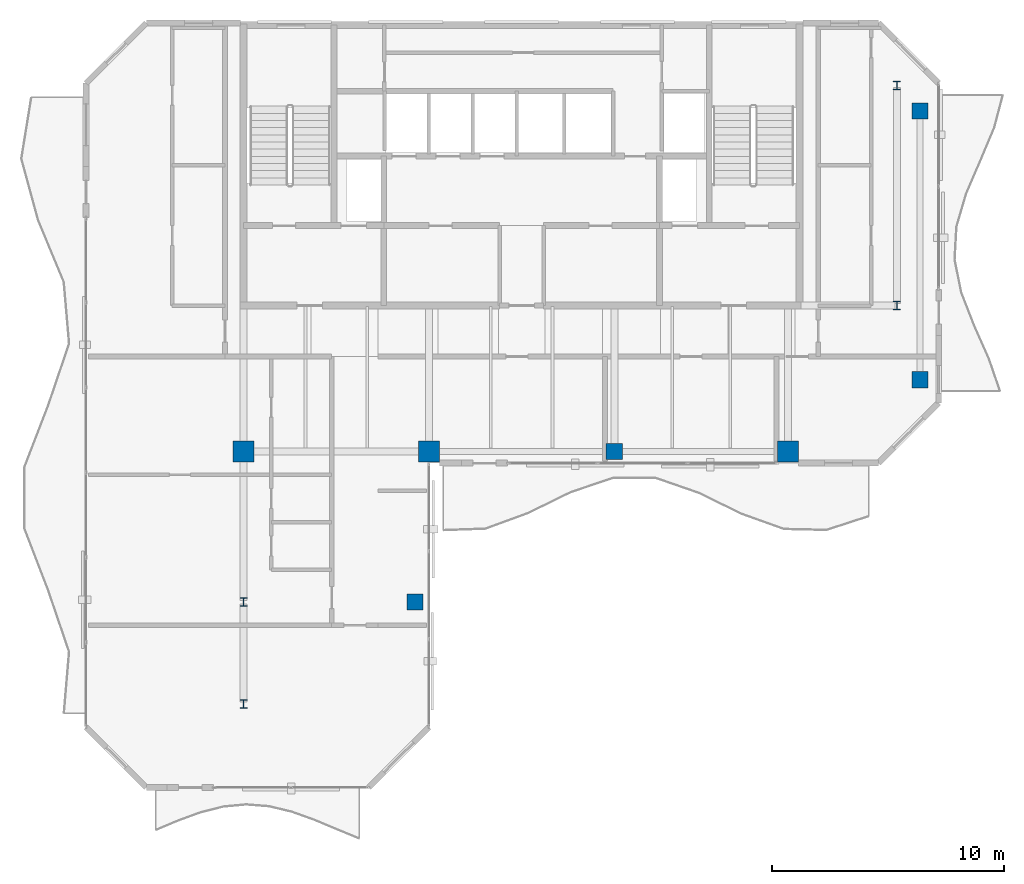
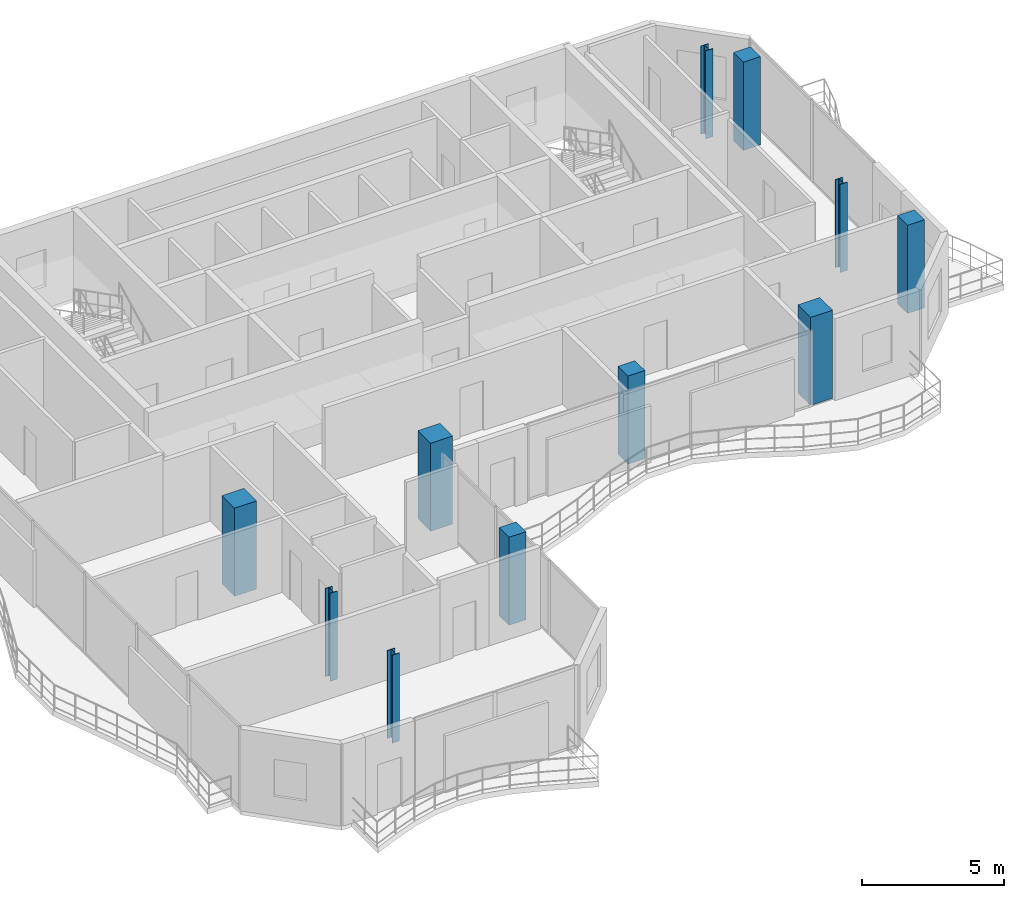
# One storey, part 1 of 17: 11 columns.
"""IFC4 building model written with IfcOpenShell, lengths in metres."""

from ifc_helpers import new_model, si_unit, direction, frame, origin, origin_2d, place, context, subcontext, project, spatial, rectangle, i_section, extrude, material, material_profile, profile_set, type_object, element, save


model = new_model("IFC4")

# Units and contexts
model_context = context("Model", 3, precision=1e-05, world=origin(), true_north=direction((0.0, 1.0)))
body_context = subcontext(model_context, "Body", "Model", "MODEL_VIEW")
ifc_project = project(units=[si_unit("LENGTHUNIT", "METRE"), si_unit("AREAUNIT", "SQUARE_METRE"), si_unit("VOLUMEUNIT", "CUBIC_METRE"), si_unit("PLANEANGLEUNIT", "RADIAN"), si_unit("MASSUNIT", "GRAM", prefix="KILO")], contexts=[model_context])

# Site, building, storey
site_placement = place(None, origin())
site = spatial("IfcSite", under=ifc_project, at=site_placement, CompositionType="ELEMENT")
building_placement = place(site_placement, origin())
building = spatial("IfcBuilding", under=site, at=building_placement, Name="Catumbela Crestline Tower", CompositionType="ELEMENT")
storey_placement = place(building_placement, frame((0.0, 0.0, 283.0)))
storey = spatial("IfcBuildingStorey", under=building, at=storey_placement, Name="L73", CompositionType="ELEMENT", Elevation=283.0)

# Columns
ifc_material_1 = material(Name="Concrete C45/55", Category="concrete")
ifc_material_profile_1 = material_profile(ifc_material_1, rectangle(XDim=0.7, YDim=0.7, at=origin_2d()), Name="RC 700x700")
ifc_profile_set_1 = profile_set([ifc_material_profile_1], Name="Concrete C45/55")
column_type_1 = type_object("IfcColumnType", Name="C-RC700-C45", PredefinedType="COLUMN", material=ifc_profile_set_1)
for number, where, z_axis, x_axis, name in (
    (1, (32.0, 24.5, 0.0), (0.0, 0.0, 1.0), (1.0, 0.0, 0.0), "L73 Column C-32-24 (RC 700x700)"),
    (2, (45.2, 27.6, 0.0), (0.0, 0.0, 1.0), (1.0, 0.0, 0.0), "L73 Column C-46-24 (RC 700x700)"),
    (3, (45.2, 39.2, 0.0), (0.0, 0.0, 1.0), (1.0, 0.0, 0.0), "L73 Column C-46-43 (RC 700x700)"),
    (4, (23.4, 18.0, 0.0), (0.0, 0.0, 1.0), (1.0, 0.0, 0.0), "L73 Column C-24-16 (RC 700x700)"),
):
    element("IfcColumn", number, at=place(storey_placement, frame(where, z_axis=z_axis, x_axis=x_axis)), inside=storey, type_object=column_type_1, Name=name, PredefinedType="COLUMN", context=body_context, shape_type="SweptSolid", body=[
        extrude(rectangle(XDim=0.7, YDim=0.7, at=origin_2d()), origin(), (0.0, 0.0, 1.0), 3.8),
    ])
ifc_material_profile_2 = material_profile(ifc_material_1, rectangle(XDim=0.9, YDim=0.9, at=origin_2d()), Name="RC 900x900")
ifc_profile_set_2 = profile_set([ifc_material_profile_2], Name="Concrete C45/55")
column_type_2 = type_object("IfcColumnType", Name="C-RC900-C45", PredefinedType="COLUMN", material=ifc_profile_set_2)
for number, where, z_axis, x_axis, name in (
    (5, (16.0, 24.5, 0.0), (0.0, 0.0, 1.0), (1.0, 0.0, 0.0), "L73 Column C-16-24 (RC 900x900)"),
    (6, (24.0, 24.5, 0.0), (0.0, 0.0, 1.0), (1.0, 0.0, 0.0), "L73 Column C-24-24 (RC 900x900)"),
    (7, (39.5, 24.5, 0.0), (0.0, 0.0, 1.0), (1.0, 0.0, 0.0), "L73 Column C-40-24 (RC 900x900)"),
):
    element("IfcColumn", number, at=place(storey_placement, frame(where, z_axis=z_axis, x_axis=x_axis)), inside=storey, type_object=column_type_2, Name=name, PredefinedType="COLUMN", context=body_context, shape_type="SweptSolid", body=[
        extrude(rectangle(XDim=0.9, YDim=0.9, at=origin_2d()), origin(), (0.0, 0.0, 1.0), 3.8),
    ])
ifc_material_2 = material(Name="Structural steel S355J2", Category="steel")
ifc_material_profile_3 = material_profile(ifc_material_2, i_section(OverallWidth=0.3, OverallDepth=0.36, WebThickness=0.0125, FlangeThickness=0.0225, FilletRadius=0.027, at=origin_2d()), Name="HEB 360")
ifc_profile_set_3 = profile_set([ifc_material_profile_3], Name="Structural steel S355J2")
column_type_3 = type_object("IfcColumnType", Name="C-ST-HEB360", PredefinedType="COLUMN", material=ifc_profile_set_3)
for number, where, z_axis, x_axis, name in (
    (8, (16.0, 13.6, 0.0), (0.0, 0.0, 1.0), (1.0, 0.0, 0.0), "L73 Column CT-14-10 (HEB 360)"),
    (9, (16.0, 18.0, 0.0), (0.0, 0.0, 1.0), (1.0, 0.0, 0.0), "L73 Column CT-14-16 (HEB 360)"),
    (10, (44.2, 30.8, 0.0), (0.0, 0.0, 1.0), (1.0, 0.0, 0.0), "L73 Column CT-46-31 (HEB 360)"),
    (11, (44.2, 40.3, 0.0), (0.0, 0.0, 1.0), (1.0, 0.0, 0.0), "L73 Column CT-46-37 (HEB 360)"),
):
    element("IfcColumn", number, at=place(storey_placement, frame(where, z_axis=z_axis, x_axis=x_axis)), inside=storey, type_object=column_type_3, Name=name, PredefinedType="COLUMN", context=body_context, shape_type="SweptSolid", body=[
        extrude(i_section(OverallWidth=0.3, OverallDepth=0.36, WebThickness=0.0125, FlangeThickness=0.0225, FilletRadius=0.027, at=origin_2d()), origin(), (0.0, 0.0, 1.0), 3.8),
    ])

save(model, "model.ifc")
